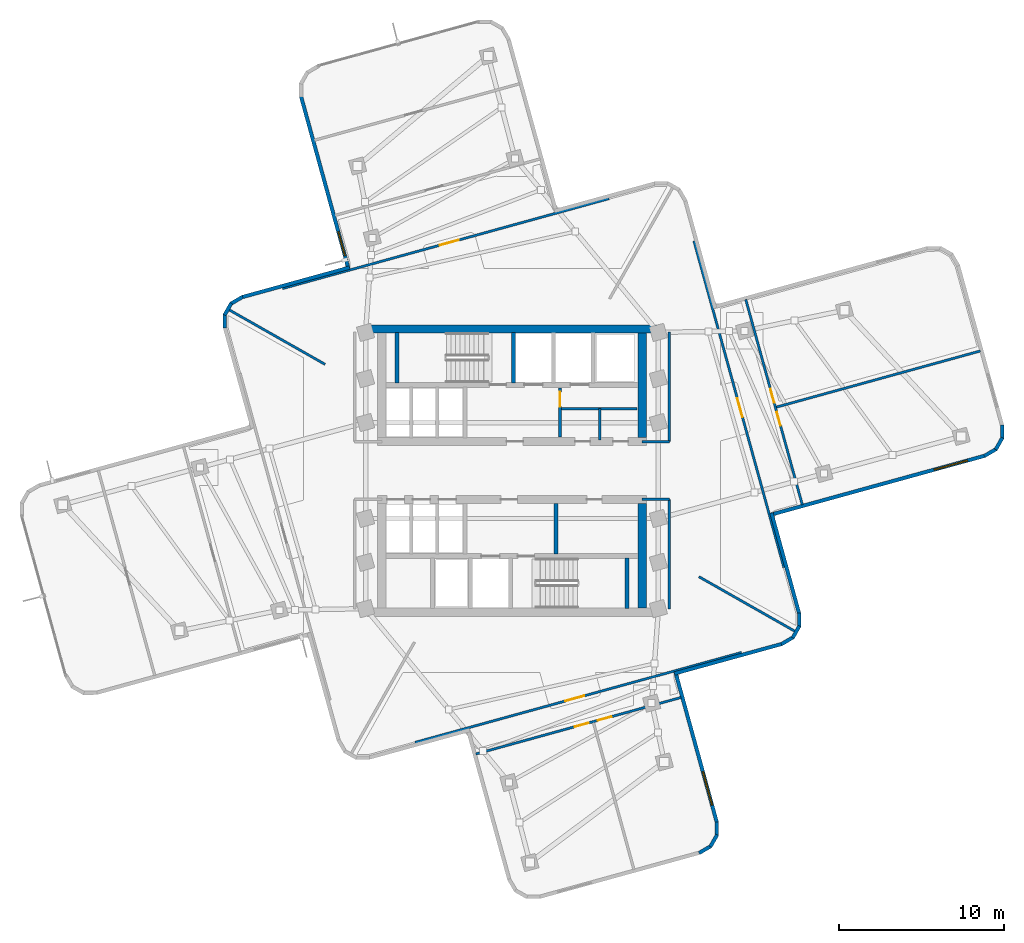
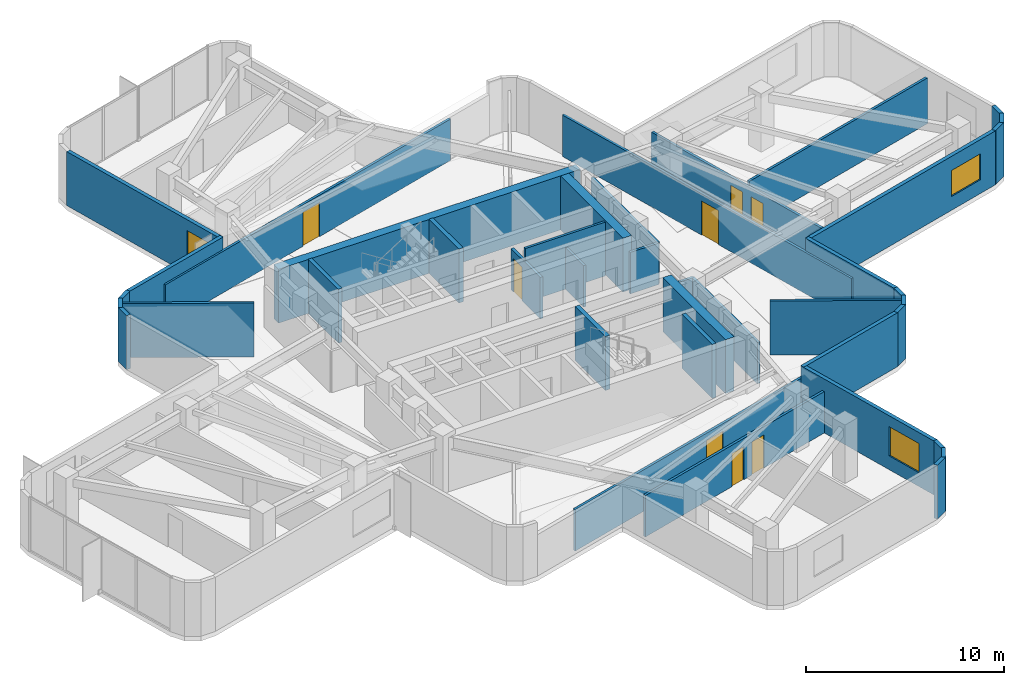
# One storey, part 8 of 12: 40 walls, 8 doors, 3 windows, 11 openings.
"""IFC4 building model written with IfcOpenShell, lengths in metres."""

from ifc_helpers import new_model, si_unit, direction, frame, frame_2d, origin, place, context, subcontext, project, spatial, rectangle, extrude, material, layer, layer_set, type_object, element, fill, save


model = new_model("IFC4")

# Units and contexts
model_context = context("Model", 3, precision=1e-05, world=origin(), true_north=direction((0.0, 1.0)))
body_context = subcontext(model_context, "Body", "Model", "MODEL_VIEW")
ifc_project = project(units=[si_unit("LENGTHUNIT", "METRE"), si_unit("AREAUNIT", "SQUARE_METRE"), si_unit("VOLUMEUNIT", "CUBIC_METRE"), si_unit("PLANEANGLEUNIT", "RADIAN"), si_unit("MASSUNIT", "GRAM", prefix="KILO")], contexts=[model_context])

# Site, building, storey
site_placement = place(None, origin())
site = spatial("IfcSite", under=ifc_project, at=site_placement, CompositionType="ELEMENT")
building_placement = place(site_placement, origin())
building = spatial("IfcBuilding", under=site, at=building_placement, Name="Solmarez Civic Tower", CompositionType="ELEMENT")
storey_placement = place(building_placement, frame((0.0, 0.0, 134.280029296875)))
storey = spatial("IfcBuildingStorey", under=building, at=storey_placement, Name="L35", CompositionType="ELEMENT", Elevation=134.280029296875)

# Walls
ifc_material_1 = material(Name="Concrete C60/75", Category="concrete")
ifc_layer_1 = layer(ifc_material_1, 0.5)
ifc_layer_set_1 = layer_set([ifc_layer_1], Name="Concrete C60/75")
wall_type_1 = type_object("IfcWallType", Name="WALL-CORE-500", PredefinedType="SHEAR", material=ifc_layer_set_1)
wall_1_placement = place(storey_placement, frame((-8.780029296875, 8.56005859375, 0.0), z_axis=(0.0, 0.0, 1.0), x_axis=(1.0, 0.0, 0.0)))
element("IfcWall", 1, at=wall_1_placement, inside=storey, type_object=wall_type_1, Name="L35 Split-Core Structural Wall NCW-N-L35", PredefinedType="SHEAR", context=body_context, shape_type="SweptSolid", body=[
    extrude(rectangle(XDim=17.56005859375, YDim=0.5, at=frame_2d((8.780029296875, 0.0))), origin(), (0.0, 0.0, 1.0), 3.320068359375),
])
for number, where, z_axis, x_axis, name in (
    (2, (7.8701171875, 8.31005859375, 0.0), (0.0, 0.0, 1.0), (0.0, -1.0, 0.0), "L35 Split-Core Structural Wall NCW-E-L35"),
    (3, (7.8701171875, -2.0, 0.0), (0.0, 0.0, 1.0), (0.0, -1.0, 0.0), "L35 Split-Core Structural Wall SCW-E-L35"),
):
    element("IfcWall", number, at=place(storey_placement, frame(where, z_axis=z_axis, x_axis=x_axis)), inside=storey, type_object=wall_type_1, Name=name, PredefinedType="SHEAR", context=body_context, shape_type="SweptSolid", body=[
        extrude(rectangle(XDim=6.31005859375, YDim=0.5, at=frame_2d((3.155029296875, 0.0))), origin(), (0.0, 0.0, 1.0), 3.320068359375),
    ])
ifc_material_2 = material(Name="Precast concrete C40/50", Category="concrete")
ifc_layer_2 = layer(ifc_material_2, 0.219970703125)
ifc_layer_set_2 = layer_set([ifc_layer_2], Name="Precast concrete C40/50")
wall_type_2 = type_object("IfcWallType", Name="WALL-EXT-220", PredefinedType="SOLIDWALL", material=ifc_layer_set_2)
wall_2_placement = place(storey_placement, frame((-17.35693359375, 8.611083984375, 0.0), z_axis=(0.0, 0.0, 1.0), x_axis=(-0.006140235123, 0.999981148579, 0.0)))
element("IfcWall", 4, at=wall_2_placement, inside=storey, type_object=wall_type_2, Name="L35 Exterior Precast Wall 14", PredefinedType="SOLIDWALL", context=body_context, shape_type="SweptSolid", body=[
    extrude(rectangle(XDim=0.8349609375, YDim=0.219970703125, at=frame_2d((0.41748046875, 0.0))), origin(), (0.0, 0.0, 1.0), 3.320068359375),
])
wall_3_placement = place(storey_placement, frame((-17.3740234375, 9.39892578125, 0.0), z_axis=(0.0, 0.0, 1.0), x_axis=(0.492959963164, 0.87005199541, 0.0)))
element("IfcWall", 5, at=wall_3_placement, inside=storey, type_object=wall_type_2, Name="L35 Exterior Precast Wall 15", PredefinedType="SOLIDWALL", context=body_context, shape_type="SweptSolid", body=[
    extrude(rectangle(XDim=0.819580078125, YDim=0.219970703125, at=frame_2d((0.40966796875, 0.0))), origin(), (0.0, 0.0, 1.0), 3.320068359375),
])
wall_4_placement = place(storey_placement, frame((-17.00390625, 10.076904296875, 0.0), z_axis=(0.0, 0.0, 1.0), x_axis=(0.862662761192, 0.505779557172, 0.0)))
element("IfcWall", 6, at=wall_4_placement, inside=storey, type_object=wall_type_2, Name="L35 Exterior Precast Wall 16", PredefinedType="SOLIDWALL", context=body_context, shape_type="SweptSolid", body=[
    extrude(rectangle(XDim=0.83447265625, YDim=0.219970703125, at=frame_2d((0.417236328125, 0.0))), origin(), (0.0, 0.0, 1.0), 3.320068359375),
])
wall_5_placement = place(storey_placement, frame((-16.330078125, 10.47900390625, 0.0), z_axis=(0.0, 0.0, 1.0), x_axis=(0.964092175021, 0.265567840793, 0.0)))
element("IfcWall", 7, at=wall_5_placement, inside=storey, type_object=wall_type_2, Name="L35 Exterior Precast Wall 17", PredefinedType="SOLIDWALL", context=body_context, shape_type="SweptSolid", body=[
    extrude(rectangle(XDim=6.7587890625, YDim=0.219970703125, at=frame_2d((3.37939453125, 0.0))), origin(), (0.0, 0.0, 1.0), 3.320068359375),
])

# Wall, opening, window
wall_6_placement = place(storey_placement, frame((-9.8759765625, 12.166015625, 0.0), z_axis=(0.0, 0.0, 1.0), x_axis=(-0.265506061674, 0.964109190504, 0.0)))
wall_6 = element("IfcWall", 8, at=wall_6_placement, inside=storey, type_object=wall_type_2, Name="L35 Exterior Precast Wall 20", PredefinedType="SOLIDWALL", context=body_context, shape_type="SweptSolid", body=[
    extrude(rectangle(XDim=10.858642578125, YDim=0.219970703125, at=frame_2d((5.42919921875, 0.0))), origin(), (0.0, 0.0, 1.0), 3.320068359375),
])
opening_1_placement = place(wall_6_placement, frame((0.85009765625, 0.0, 0.85009765625)))
opening_1 = element("IfcOpeningElement", 9, at=opening_1_placement, cuts=wall_6, Name="Opening W-13", PredefinedType="OPENING", context=body_context, shape_type="SweptSolid", body=[
    extrude(rectangle(XDim=1.5, YDim=1.800048828125, at=frame_2d((0.75, 0.89990234375))), frame((0.0, 0.119873046875, 0.0), z_axis=(0.0, -1.0, 0.0), x_axis=(1.0, 0.0, 0.0)), (0.0, 0.0, 1.0), 0.239990234375),
])
ifc_material_3 = material(Name="Solar Control Bronze-Tinted Insulating Glass", Category="glass")
window_type_1 = type_object("IfcWindowType", Name="WIN-1500X1800", PartitioningType="SINGLE_PANEL", PredefinedType="WINDOW", material=ifc_material_3)
window_1_placement = place(opening_1_placement, origin())
window_1 = element("IfcWindow", 10, at=window_1_placement, inside=storey, type_object=window_type_1, Name="L35 Exterior Facade Window 20", OverallHeight=1.800048828125, OverallWidth=1.5, PartitioningType="SINGLE_PANEL", PredefinedType="WINDOW", context=body_context, shape_type="SweptSolid", body=[
    extrude(rectangle(XDim=1.5, YDim=1.800048828125, at=frame_2d((0.75, 0.89990234375))), frame((0.0, 0.030029296875, 0.0), z_axis=(0.0, -1.0, 0.0), x_axis=(1.0, 0.0, 0.0)), (0.0, 0.0, 1.0), 0.06005859375),
])
fill(opening_1, window_1)

# Walls
wall_7_placement = place(storey_placement, frame((29.6259765625, 2.764892578125, 0.0), z_axis=(0.0, 0.0, 1.0), x_axis=(0.006147424822, -0.999981104406, 0.0)))
element("IfcWall", 11, at=wall_7_placement, inside=storey, type_object=wall_type_2, Name="L35 Exterior Precast Wall 43", PredefinedType="SOLIDWALL", context=body_context, shape_type="SweptSolid", body=[
    extrude(rectangle(XDim=0.833984375, YDim=0.219970703125, at=frame_2d((0.4169921875, 0.0))), origin(), (0.0, 0.0, 1.0), 3.320068359375),
])
wall_8_placement = place(storey_placement, frame((29.64306640625, 1.97802734375, 0.0), z_axis=(0.0, 0.0, 1.0), x_axis=(-0.492057256668, -0.87056283872, 0.0)))
element("IfcWall", 12, at=wall_8_placement, inside=storey, type_object=wall_type_2, Name="L35 Exterior Precast Wall 44", PredefinedType="SOLIDWALL", context=body_context, shape_type="SweptSolid", body=[
    extrude(rectangle(XDim=0.819091796875, YDim=0.219970703125, at=frame_2d((0.40966796875, 0.0))), origin(), (0.0, 0.0, 1.0), 3.320068359375),
])
wall_9_placement = place(storey_placement, frame((29.27392578125, 1.300048828125, 0.0), z_axis=(0.0, 0.0, 1.0), x_axis=(-0.862451814289, -0.506139178517, 0.0)))
element("IfcWall", 13, at=wall_9_placement, inside=storey, type_object=wall_type_2, Name="L35 Exterior Precast Wall 45", PredefinedType="SOLIDWALL", context=body_context, shape_type="SweptSolid", body=[
    extrude(rectangle(XDim=0.8359375, YDim=0.219970703125, at=frame_2d((0.41796875, 0.0))), origin(), (0.0, 0.0, 1.0), 3.320068359375),
])

# Wall, opening, window
wall_10_placement = place(storey_placement, frame((28.59912109375, 0.89697265625, 0.0), z_axis=(0.0, 0.0, 1.0), x_axis=(-0.964113270695, -0.265491245185, 0.0)))
wall_10 = element("IfcWall", 14, at=wall_10_placement, inside=storey, type_object=wall_type_2, Name="L35 Exterior Precast Wall 46", PredefinedType="SOLIDWALL", context=body_context, shape_type="SweptSolid", body=[
    extrude(rectangle(XDim=13.4580078125, YDim=0.219970703125, at=frame_2d((6.72900390625, 0.0))), origin(), (0.0, 0.0, 1.0), 3.320068359375),
])
opening_2_placement = place(wall_10_placement, frame((1.10009765625, 0.0, 0.85009765625)))
opening_2 = element("IfcOpeningElement", 15, at=opening_2_placement, cuts=wall_10, Name="Opening W-11", PredefinedType="OPENING", context=body_context, shape_type="SweptSolid", body=[
    extrude(rectangle(XDim=2.10009765625, YDim=1.60009765625, at=frame_2d((1.050048828125, 0.800048828125))), frame((0.0, 0.119873046875, 0.0), z_axis=(0.0, -1.0, 0.0), x_axis=(1.0, 0.0, 0.0)), (0.0, 0.0, 1.0), 0.239990234375),
])
window_type_2 = type_object("IfcWindowType", Name="WIN-2100X1600", PartitioningType="SINGLE_PANEL", PredefinedType="WINDOW", material=ifc_material_3)
window_2_placement = place(opening_2_placement, origin())
window_2 = element("IfcWindow", 16, at=window_2_placement, inside=storey, type_object=window_type_2, Name="L35 Exterior Facade Window 46", OverallHeight=1.60009765625, OverallWidth=2.10009765625, PartitioningType="SINGLE_PANEL", PredefinedType="WINDOW", context=body_context, shape_type="SweptSolid", body=[
    extrude(rectangle(XDim=2.10009765625, YDim=1.60009765625, at=frame_2d((1.050048828125, 0.800048828125))), frame((0.0, 0.030029296875, 0.0), z_axis=(0.0, -1.0, 0.0), x_axis=(1.0, 0.0, 0.0)), (0.0, 0.0, 1.0), 0.06005859375),
])
fill(opening_2, window_2)

# Walls
wall_11_placement = place(storey_placement, frame((15.68603515625, -2.568115234375, 0.0), z_axis=(0.0, 0.0, 1.0), x_axis=(0.265558779784, -0.964094670911, 0.0)))
element("IfcWall", 17, at=wall_11_placement, inside=storey, type_object=wall_type_2, Name="L35 Exterior Precast Wall 49", PredefinedType="SOLIDWALL", context=body_context, shape_type="SweptSolid", body=[
    extrude(rectangle(XDim=6.318603515625, YDim=0.219970703125, at=frame_2d((3.1591796875, 0.0))), origin(), (0.0, 0.0, 1.0), 3.320068359375),
])
wall_12_placement = place(storey_placement, frame((17.35693359375, -8.611083984375, 0.0), z_axis=(0.0, 0.0, 1.0), x_axis=(0.006140235123, -0.999981148579, 0.0)))
element("IfcWall", 18, at=wall_12_placement, inside=storey, type_object=wall_type_2, Name="L35 Exterior Precast Wall 50", PredefinedType="SOLIDWALL", context=body_context, shape_type="SweptSolid", body=[
    extrude(rectangle(XDim=0.8349609375, YDim=0.219970703125, at=frame_2d((0.41748046875, 0.0))), origin(), (0.0, 0.0, 1.0), 3.320068359375),
])
wall_13_placement = place(storey_placement, frame((17.3740234375, -9.39892578125, 0.0), z_axis=(0.0, 0.0, 1.0), x_axis=(-0.492959963164, -0.87005199541, 0.0)))
element("IfcWall", 19, at=wall_13_placement, inside=storey, type_object=wall_type_2, Name="L35 Exterior Precast Wall 51", PredefinedType="SOLIDWALL", context=body_context, shape_type="SweptSolid", body=[
    extrude(rectangle(XDim=0.819580078125, YDim=0.219970703125, at=frame_2d((0.40966796875, 0.0))), origin(), (0.0, 0.0, 1.0), 3.320068359375),
])
wall_14_placement = place(storey_placement, frame((17.00390625, -10.076904296875, 0.0), z_axis=(0.0, 0.0, 1.0), x_axis=(-0.862662761192, -0.505779557172, 0.0)))
element("IfcWall", 20, at=wall_14_placement, inside=storey, type_object=wall_type_2, Name="L35 Exterior Precast Wall 52", PredefinedType="SOLIDWALL", context=body_context, shape_type="SweptSolid", body=[
    extrude(rectangle(XDim=0.83447265625, YDim=0.219970703125, at=frame_2d((0.417236328125, 0.0))), origin(), (0.0, 0.0, 1.0), 3.320068359375),
])
wall_15_placement = place(storey_placement, frame((16.330078125, -10.47900390625, 0.0), z_axis=(0.0, 0.0, 1.0), x_axis=(-0.964092175021, -0.265567840793, 0.0)))
element("IfcWall", 21, at=wall_15_placement, inside=storey, type_object=wall_type_2, Name="L35 Exterior Precast Wall 53", PredefinedType="SOLIDWALL", context=body_context, shape_type="SweptSolid", body=[
    extrude(rectangle(XDim=6.7587890625, YDim=0.219970703125, at=frame_2d((3.37939453125, 0.0))), origin(), (0.0, 0.0, 1.0), 3.320068359375),
])

# Wall, opening, window
wall_16_placement = place(storey_placement, frame((9.8759765625, -12.166015625, 0.0), z_axis=(0.0, 0.0, 1.0), x_axis=(0.265575803102, -0.964089981696, 0.0)))
wall_16 = element("IfcWall", 22, at=wall_16_placement, inside=storey, type_object=wall_type_2, Name="L35 Exterior Precast Wall 56", PredefinedType="SOLIDWALL", context=body_context, shape_type="SweptSolid", body=[
    extrude(rectangle(XDim=9.45849609375, YDim=0.219970703125, at=frame_2d((4.729248046875, 0.0))), origin(), (0.0, 0.0, 1.0), 3.320068359375),
])
opening_3_placement = place(wall_16_placement, frame((6.259033203125, 0.0, 0.85009765625)))
opening_3 = element("IfcOpeningElement", 23, at=opening_3_placement, cuts=wall_16, Name="Opening W-07", PredefinedType="OPENING", context=body_context, shape_type="SweptSolid", body=[
    extrude(rectangle(XDim=2.10009765625, YDim=1.800048828125, at=frame_2d((1.050048828125, 0.89990234375))), frame((0.0, 0.119873046875, 0.0), z_axis=(0.0, -1.0, 0.0), x_axis=(1.0, 0.0, 0.0)), (0.0, 0.0, 1.0), 0.239990234375),
])
window_type_3 = type_object("IfcWindowType", Name="WIN-2100X1800", PartitioningType="SINGLE_PANEL", PredefinedType="WINDOW", material=ifc_material_3)
window_3_placement = place(opening_3_placement, origin())
window_3 = element("IfcWindow", 24, at=window_3_placement, inside=storey, type_object=window_type_3, Name="L35 Exterior Facade Window 56", OverallHeight=1.800048828125, OverallWidth=2.10009765625, PartitioningType="SINGLE_PANEL", PredefinedType="WINDOW", context=body_context, shape_type="SweptSolid", body=[
    extrude(rectangle(XDim=2.10009765625, YDim=1.800048828125, at=frame_2d((1.050048828125, 0.89990234375))), frame((0.0, 0.030029296875, 0.0), z_axis=(0.0, -1.0, 0.0), x_axis=(1.0, 0.0, 0.0)), (0.0, 0.0, 1.0), 0.06005859375),
])
fill(opening_3, window_3)

# Walls
wall_17_placement = place(storey_placement, frame((12.381103515625, -21.236083984375, 0.0), z_axis=(0.0, 0.0, 1.0), x_axis=(0.005854700592, -0.999982861094, 0.0)))
element("IfcWall", 25, at=wall_17_placement, inside=storey, type_object=wall_type_2, Name="L35 Exterior Precast Wall 57", PredefinedType="SOLIDWALL", context=body_context, shape_type="SweptSolid", body=[
    extrude(rectangle(XDim=0.833984375, YDim=0.219970703125, at=frame_2d((0.4169921875, 0.0))), origin(), (0.0, 0.0, 1.0), 3.320068359375),
])
wall_18_placement = place(storey_placement, frame((12.39794921875, -22.02294921875, 0.0), z_axis=(0.0, 0.0, 1.0), x_axis=(-0.492959963164, -0.87005199541, 0.0)))
element("IfcWall", 26, at=wall_18_placement, inside=storey, type_object=wall_type_2, Name="L35 Exterior Precast Wall 58", PredefinedType="SOLIDWALL", context=body_context, shape_type="SweptSolid", body=[
    extrude(rectangle(XDim=0.819580078125, YDim=0.219970703125, at=frame_2d((0.40966796875, 0.0))), origin(), (0.0, 0.0, 1.0), 3.320068359375),
])
wall_19_placement = place(storey_placement, frame((12.028076171875, -22.700927734375, 0.0), z_axis=(0.0, 0.0, 1.0), x_axis=(-0.86215208584, -0.506649564178, 0.0)))
element("IfcWall", 27, at=wall_19_placement, inside=storey, type_object=wall_type_2, Name="L35 Exterior Precast Wall 59", PredefinedType="SOLIDWALL", context=body_context, shape_type="SweptSolid", body=[
    extrude(rectangle(XDim=0.835205078125, YDim=0.219970703125, at=frame_2d((0.41748046875, 0.0))), origin(), (0.0, 0.0, 1.0), 3.320068359375),
])
ifc_material_4 = material(Name="Gypsum Board Acoustic Steel-Stud Partition", Category="steel")
ifc_layer_3 = layer(ifc_material_4, 0.14990234375)
ifc_layer_set_3 = layer_set([ifc_layer_3], Name="Gypsum Board Acoustic Steel-Stud Partition")
wall_type_3 = type_object("IfcWallType", Name="WALL-INT-FIRE-150", PredefinedType="PARTITIONING", material=ifc_layer_set_3)
wall_20_placement = place(storey_placement, frame((9.52001953125, 1.75, 0.0), z_axis=(0.0, 0.0, 1.0), x_axis=(0.0, 1.0, 0.0)))
element("IfcWall", 28, at=wall_20_placement, inside=storey, type_object=wall_type_3, Name="L35 Interior Partition CHW-L35-EN1", PredefinedType="PARTITIONING", context=body_context, shape_type="SweptSolid", body=[
    extrude(rectangle(XDim=6.6298828125, YDim=0.14990234375, at=frame_2d((3.31494140625, 0.0))), origin(), (0.0, 0.0, 1.0), 2.550048828125),
])
wall_21_placement = place(storey_placement, frame((7.85009765625, 1.75, 0.0), z_axis=(0.0, 0.0, 1.0), x_axis=(1.0, 0.0, 0.0)))
element("IfcWall", 29, at=wall_21_placement, inside=storey, type_object=wall_type_3, Name="L35 Interior Partition CHW-L35-EN3", PredefinedType="PARTITIONING", context=body_context, shape_type="SweptSolid", body=[
    extrude(rectangle(XDim=1.669921875, YDim=0.14990234375, at=frame_2d((0.8349609375, 0.0))), origin(), (0.0, 0.0, 1.0), 2.550048828125),
])
wall_22_placement = place(storey_placement, frame((9.52001953125, -8.3798828125, 0.0), z_axis=(0.0, 0.0, 1.0), x_axis=(0.0, 1.0, 0.0)))
element("IfcWall", 30, at=wall_22_placement, inside=storey, type_object=wall_type_3, Name="L35 Interior Partition CHW-L35-ES1", PredefinedType="PARTITIONING", context=body_context, shape_type="SweptSolid", body=[
    extrude(rectangle(XDim=6.6298828125, YDim=0.14990234375, at=frame_2d((3.31494140625, 0.0))), origin(), (0.0, 0.0, 1.0), 2.550048828125),
])
wall_23_placement = place(storey_placement, frame((7.85009765625, -1.75, 0.0), z_axis=(0.0, 0.0, 1.0), x_axis=(1.0, 0.0, 0.0)))
element("IfcWall", 31, at=wall_23_placement, inside=storey, type_object=wall_type_3, Name="L35 Interior Partition CHW-L35-ES3", PredefinedType="PARTITIONING", context=body_context, shape_type="SweptSolid", body=[
    extrude(rectangle(XDim=1.669921875, YDim=0.14990234375, at=frame_2d((0.8349609375, 0.0))), origin(), (0.0, 0.0, 1.0), 2.550048828125),
])
ifc_layer_4 = layer(ifc_material_4, 0.14501953125)
ifc_layer_set_4 = layer_set([ifc_layer_4], Name="Gypsum Board Acoustic Steel-Stud Partition")
wall_type_4 = type_object("IfcWallType", Name="WALL-INT-PART-150", PredefinedType="PARTITIONING", material=ifc_layer_set_4)
for number, where, z_axis, x_axis, name in (
    (32, (-11.300048828125, 6.4189453125, 0.0), (0.0, 0.0, 1.0), (-0.869475469758, 0.493976120363, 0.0), "L35 Interior Partition PT-L35-QDIV-2"),
    (33, (11.300048828125, -6.4189453125, 0.0), (0.0, 0.0, 1.0), (0.869475469758, -0.493976120363, 0.0), "L35 Interior Partition PT-L35-QDIV-4"),
):
    element("IfcWall", number, at=place(storey_placement, frame(where, z_axis=z_axis, x_axis=x_axis)), inside=storey, type_object=wall_type_4, Name=name, PredefinedType="PARTITIONING", context=body_context, shape_type="SweptSolid", body=[
        extrude(rectangle(XDim=6.6787109375, YDim=0.14501953125, at=frame_2d((3.33935546875, 0.0))), origin(), (0.0, 0.0, 1.0), 3.320068359375),
    ])

# Wall, opening, door
wall_24_placement = place(storey_placement, frame((10.9990234375, 13.87890625, 0.0), z_axis=(0.0, 0.0, 1.0), x_axis=(0.26558288107, -0.964088031915, 0.0)))
wall_24 = element("IfcWall", 34, at=wall_24_placement, inside=storey, type_object=wall_type_4, Name="L35 Interior Partition PT-L35-E-ENT", PredefinedType="PARTITIONING", context=body_context, shape_type="SweptSolid", body=[
    extrude(rectangle(XDim=20.479248046875, YDim=0.14501953125, at=frame_2d((10.23974609375, 0.0))), origin(), (0.0, 0.0, 1.0), 2.550048828125),
])
opening_4_placement = place(wall_24_placement, frame((9.860107421875, 0.0, 0.0)))
opening_4 = element("IfcOpeningElement", 35, at=opening_4_placement, cuts=wall_24, Name="Opening D-11", PredefinedType="OPENING", context=body_context, shape_type="SweptSolid", body=[
    extrude(rectangle(XDim=1.199951171875, YDim=2.10009765625, at=frame_2d((0.60009765625, 1.050048828125))), frame((0.0, 0.08251953125, 0.0), z_axis=(0.0, -1.0, 0.0), x_axis=(1.0, 0.0, 0.0)), (0.0, 0.0, 1.0), 0.1650390625),
])
ifc_material_5 = material(Name="Glazed-Vision Acoustic Chamber Door", Category="wood")
door_type_1 = type_object("IfcDoorType", Name="DOOR-INT-1200", OperationType="NOTDEFINED", PredefinedType="DOOR", material=ifc_material_5)
door_1_placement = place(opening_4_placement, origin())
door_1 = element("IfcDoor", 36, at=door_1_placement, inside=storey, type_object=door_type_1, Name="L35 Maritime Registry Legislative Seminar Room First East Door", OperationType="SINGLE_SWING_LEFT", OverallHeight=2.10009765625, OverallWidth=1.199951171875, PredefinedType="DOOR", context=body_context, shape_type="SweptSolid", body=[
    extrude(rectangle(XDim=1.199951171875, YDim=2.10009765625, at=frame_2d((0.60009765625, 1.050048828125))), frame((0.0, 0.02490234375, 0.0), z_axis=(0.0, -1.0, 0.0), x_axis=(1.0, 0.0, 0.0)), (0.0, 0.0, 1.0), 0.050048828125),
])
fill(opening_4, door_1)

# Wall
wall_25_placement = place(storey_placement, frame((15.986083984375, 3.8330078125, 0.0), z_axis=(0.0, 0.0, 1.0), x_axis=(0.964097539176, 0.265548366506, 0.0)))
element("IfcWall", 37, at=wall_25_placement, inside=storey, type_object=wall_type_4, Name="L35 Interior Partition PT-L35-E-TSP", PredefinedType="PARTITIONING", context=body_context, shape_type="SweptSolid", body=[
    extrude(rectangle(XDim=12.784912109375, YDim=0.14501953125, at=frame_2d((6.392578125, 0.0))), origin(), (0.0, 0.0, 1.0), 2.81201171875),
])

# Wall, openings, doors
wall_26_placement = place(storey_placement, frame((17.549072265625, -2.069091796875, 0.0), z_axis=(0.0, 0.0, 1.0), x_axis=(-0.265569130282, 0.964091819819, 0.0)))
wall_26 = element("IfcWall", 38, at=wall_26_placement, inside=storey, type_object=wall_type_4, Name="L35 Interior Partition PT-L35-E-SCUT", PredefinedType="PARTITIONING", context=body_context, shape_type="SweptSolid", body=[
    extrude(rectangle(XDim=12.870361328125, YDim=0.14501953125, at=frame_2d((6.43505859375, 0.0))), origin(), (0.0, 0.0, 1.0), 2.550048828125),
])
opening_5_placement = place(wall_26_placement, frame((4.955078125, 0.0, 0.0)))
opening_5 = element("IfcOpeningElement", 39, at=opening_5_placement, cuts=wall_26, Name="Opening D-14", PredefinedType="OPENING", context=body_context, shape_type="SweptSolid", body=[
    extrude(rectangle(XDim=0.860107421875, YDim=2.0400390625, at=frame_2d((0.43017578125, 1.02001953125))), frame((0.0, 0.08251953125, 0.0), z_axis=(0.0, -1.0, 0.0), x_axis=(1.0, 0.0, 0.0)), (0.0, 0.0, 1.0), 0.1650390625),
])
opening_6_placement = place(wall_26_placement, frame((6.39501953125, 0.0, 0.0)))
opening_6 = element("IfcOpeningElement", 40, at=opening_6_placement, cuts=wall_26, Name="Opening D-14", PredefinedType="OPENING", context=body_context, shape_type="SweptSolid", body=[
    extrude(rectangle(XDim=0.860107421875, YDim=2.0400390625, at=frame_2d((0.43017578125, 1.02001953125))), frame((0.0, 0.08251953125, 0.0), z_axis=(0.0, -1.0, 0.0), x_axis=(1.0, 0.0, 0.0)), (0.0, 0.0, 1.0), 0.1650390625),
])
ifc_material_6 = material(Name="Timber Storage and Pantry Door", Category="wood")
door_type_2 = type_object("IfcDoorType", Name="DOOR-INT-850", OperationType="NOTDEFINED", PredefinedType="DOOR", material=ifc_material_6)
door_2_placement = place(opening_5_placement, origin())
door_2 = element("IfcDoor", 41, at=door_2_placement, inside=storey, type_object=door_type_2, Name="L35 Delegates Sitting Lounge Third East Door", OperationType="SINGLE_SWING_RIGHT", OverallHeight=2.0400390625, OverallWidth=0.860107421875, PredefinedType="DOOR", context=body_context, shape_type="SweptSolid", body=[
    extrude(rectangle(XDim=0.860107421875, YDim=2.0400390625, at=frame_2d((0.43017578125, 1.02001953125))), frame((0.0, 0.02490234375, 0.0), z_axis=(0.0, -1.0, 0.0), x_axis=(1.0, 0.0, 0.0)), (0.0, 0.0, 1.0), 0.050048828125),
])
fill(opening_5, door_2)
door_3_placement = place(opening_6_placement, origin())
door_3 = element("IfcDoor", 42, at=door_3_placement, inside=storey, type_object=door_type_2, Name="L35 Civic Training Classroom Second East Door", OperationType="SINGLE_SWING_LEFT", OverallHeight=2.0400390625, OverallWidth=0.860107421875, PredefinedType="DOOR", context=body_context, shape_type="SweptSolid", body=[
    extrude(rectangle(XDim=0.860107421875, YDim=2.0400390625, at=frame_2d((0.43017578125, 1.02001953125))), frame((0.0, 0.02490234375, 0.0), z_axis=(0.0, -1.0, 0.0), x_axis=(1.0, 0.0, 0.0)), (0.0, 0.0, 1.0), 0.050048828125),
])
fill(opening_6, door_3)

# Wall, opening, door
wall_27_placement = place(storey_placement, frame((-13.87890625, 10.9990234375, 0.0), z_axis=(0.0, 0.0, 1.0), x_axis=(0.964088031915, 0.26558288107, 0.0)))
wall_27 = element("IfcWall", 43, at=wall_27_placement, inside=storey, type_object=wall_type_4, Name="L35 Interior Partition PT-L35-N-ENT", PredefinedType="PARTITIONING", context=body_context, shape_type="SweptSolid", body=[
    extrude(rectangle(XDim=20.479248046875, YDim=0.14501953125, at=frame_2d((10.23974609375, 0.0))), origin(), (0.0, 0.0, 1.0), 2.550048828125),
])
opening_7_placement = place(wall_27_placement, frame((9.860107421875, 0.0, 0.0)))
opening_7 = element("IfcOpeningElement", 44, at=opening_7_placement, cuts=wall_27, Name="Opening D-11", PredefinedType="OPENING", context=body_context, shape_type="SweptSolid", body=[
    extrude(rectangle(XDim=1.199951171875, YDim=2.10009765625, at=frame_2d((0.60009765625, 1.050048828125))), frame((0.0, 0.08251953125, 0.0), z_axis=(0.0, -1.0, 0.0), x_axis=(1.0, 0.0, 0.0)), (0.0, 0.0, 1.0), 0.1650390625),
])
door_4_placement = place(opening_7_placement, origin())
door_4 = element("IfcDoor", 45, at=door_4_placement, inside=storey, type_object=door_type_1, Name="L35 Civic Training Classroom First North Door", OperationType="SINGLE_SWING_LEFT", OverallHeight=2.10009765625, OverallWidth=1.199951171875, PredefinedType="DOOR", context=body_context, shape_type="SweptSolid", body=[
    extrude(rectangle(XDim=1.199951171875, YDim=2.10009765625, at=frame_2d((0.60009765625, 1.050048828125))), frame((0.0, 0.02490234375, 0.0), z_axis=(0.0, -1.0, 0.0), x_axis=(1.0, 0.0, 0.0)), (0.0, 0.0, 1.0), 0.050048828125),
])
fill(opening_7, door_4)

wall_28_placement = place(storey_placement, frame((13.87890625, -10.9990234375, 0.0), z_axis=(0.0, 0.0, 1.0), x_axis=(-0.964088031915, -0.26558288107, 0.0)))
wall_28 = element("IfcWall", 46, at=wall_28_placement, inside=storey, type_object=wall_type_4, Name="L35 Interior Partition PT-L35-S-ENT", PredefinedType="PARTITIONING", context=body_context, shape_type="SweptSolid", body=[
    extrude(rectangle(XDim=20.479248046875, YDim=0.14501953125, at=frame_2d((10.23974609375, 0.0))), origin(), (0.0, 0.0, 1.0), 2.550048828125),
])
opening_8_placement = place(wall_28_placement, frame((9.860107421875, 0.0, 0.0)))
opening_8 = element("IfcOpeningElement", 47, at=opening_8_placement, cuts=wall_28, Name="Opening D-11", PredefinedType="OPENING", context=body_context, shape_type="SweptSolid", body=[
    extrude(rectangle(XDim=1.199951171875, YDim=2.10009765625, at=frame_2d((0.60009765625, 1.050048828125))), frame((0.0, 0.08251953125, 0.0), z_axis=(0.0, -1.0, 0.0), x_axis=(1.0, 0.0, 0.0)), (0.0, 0.0, 1.0), 0.1650390625),
])
door_5_placement = place(opening_8_placement, origin())
door_5 = element("IfcDoor", 48, at=door_5_placement, inside=storey, type_object=door_type_1, Name="L35 Public Reception Room First South Door", OperationType="SINGLE_SWING_LEFT", OverallHeight=2.10009765625, OverallWidth=1.199951171875, PredefinedType="DOOR", context=body_context, shape_type="SweptSolid", body=[
    extrude(rectangle(XDim=1.199951171875, YDim=2.10009765625, at=frame_2d((0.60009765625, 1.050048828125))), frame((0.0, 0.02490234375, 0.0), z_axis=(0.0, -1.0, 0.0), x_axis=(1.0, 0.0, 0.0)), (0.0, 0.0, 1.0), 0.050048828125),
])
fill(opening_8, door_5)

# Wall, openings, doors
wall_29_placement = place(storey_placement, frame((-2.18310546875, -17.135009765625, 0.0), z_axis=(0.0, 0.0, 1.0), x_axis=(0.964091819819, 0.265569130282, 0.0)))
wall_29 = element("IfcWall", 49, at=wall_29_placement, inside=storey, type_object=wall_type_4, Name="L35 Interior Partition PT-L35-S-SCUT", PredefinedType="PARTITIONING", context=body_context, shape_type="SweptSolid", body=[
    extrude(rectangle(XDim=12.870361328125, YDim=0.14501953125, at=frame_2d((6.43505859375, 0.0))), origin(), (0.0, 0.0, 1.0), 2.550048828125),
])
opening_9_placement = place(wall_29_placement, frame((6.205078125, 0.0, 0.0)))
opening_9 = element("IfcOpeningElement", 50, at=opening_9_placement, cuts=wall_29, Name="Opening D-14", PredefinedType="OPENING", context=body_context, shape_type="SweptSolid", body=[
    extrude(rectangle(XDim=0.860107421875, YDim=2.0400390625, at=frame_2d((0.43017578125, 1.02001953125))), frame((0.0, 0.08251953125, 0.0), z_axis=(0.0, -1.0, 0.0), x_axis=(1.0, 0.0, 0.0)), (0.0, 0.0, 1.0), 0.1650390625),
])
opening_10_placement = place(wall_29_placement, frame((7.64501953125, 0.0, 0.0)))
opening_10 = element("IfcOpeningElement", 51, at=opening_10_placement, cuts=wall_29, Name="Opening D-14", PredefinedType="OPENING", context=body_context, shape_type="SweptSolid", body=[
    extrude(rectangle(XDim=0.860107421875, YDim=2.0400390625, at=frame_2d((0.43017578125, 1.02001953125))), frame((0.0, 0.08251953125, 0.0), z_axis=(0.0, -1.0, 0.0), x_axis=(1.0, 0.0, 0.0)), (0.0, 0.0, 1.0), 0.1650390625),
])
door_6_placement = place(opening_9_placement, origin())
door_6 = element("IfcDoor", 52, at=door_6_placement, inside=storey, type_object=door_type_2, Name="L35 Delegates Sitting Lounge Third South Door", OperationType="SINGLE_SWING_RIGHT", OverallHeight=2.0400390625, OverallWidth=0.860107421875, PredefinedType="DOOR", context=body_context, shape_type="SweptSolid", body=[
    extrude(rectangle(XDim=0.860107421875, YDim=2.0400390625, at=frame_2d((0.43017578125, 1.02001953125))), frame((0.0, 0.02490234375, 0.0), z_axis=(0.0, -1.0, 0.0), x_axis=(1.0, 0.0, 0.0)), (0.0, 0.0, 1.0), 0.050048828125),
])
fill(opening_9, door_6)
door_7_placement = place(opening_10_placement, origin())
door_7 = element("IfcDoor", 53, at=door_7_placement, inside=storey, type_object=door_type_2, Name="L35 Civic Training Classroom Second South Door", OperationType="SINGLE_SWING_LEFT", OverallHeight=2.0400390625, OverallWidth=0.860107421875, PredefinedType="DOOR", context=body_context, shape_type="SweptSolid", body=[
    extrude(rectangle(XDim=0.860107421875, YDim=2.0400390625, at=frame_2d((0.43017578125, 1.02001953125))), frame((0.0, 0.02490234375, 0.0), z_axis=(0.0, -1.0, 0.0), x_axis=(1.0, 0.0, 0.0)), (0.0, 0.0, 1.0), 0.050048828125),
])
fill(opening_10, door_7)

# Wall, opening, door
ifc_layer_5 = layer(ifc_material_4, 0.159912109375)
ifc_layer_set_5 = layer_set([ifc_layer_5], Name="Gypsum Board Acoustic Steel-Stud Partition")
wall_type_5 = type_object("IfcWallType", Name="WALL-INT-SHAFT-160", PredefinedType="PARTITIONING", material=ifc_layer_set_5)
wall_30_placement = place(storey_placement, frame((2.89990234375, 2.0400390625, 0.0), z_axis=(0.0, 0.0, 1.0), x_axis=(0.0, 1.0, 0.0)))
wall_30 = element("IfcWall", 54, at=wall_30_placement, inside=storey, type_object=wall_type_5, Name="L35 Interior Partition SHW-NL2-L35", PredefinedType="PARTITIONING", context=body_context, shape_type="SweptSolid", body=[
    extrude(rectangle(XDim=2.93994140625, YDim=0.159912109375, at=frame_2d((1.469970703125, 0.0))), origin(), (0.0, 0.0, 1.0), 2.550048828125),
])
opening_11_placement = place(wall_30_placement, frame((1.820068359375, 0.0, 0.0)))
opening_11 = element("IfcOpeningElement", 55, at=opening_11_placement, cuts=wall_30, Name="Opening D-09", PredefinedType="OPENING", context=body_context, shape_type="SweptSolid", body=[
    extrude(rectangle(XDim=0.89990234375, YDim=2.06005859375, at=frame_2d((0.449951171875, 1.030029296875))), frame((0.0, 0.08984375, 0.0), z_axis=(0.0, -1.0, 0.0), x_axis=(1.0, 0.0, 0.0)), (0.0, 0.0, 1.0), 0.179931640625),
])
ifc_material_7 = material(Name="Fire-Rated Service Core Door", Category="wood")
door_type_3 = type_object("IfcDoorType", Name="DOOR-FD60-900", OperationType="NOTDEFINED", PredefinedType="DOOR", material=ifc_material_7)
door_8_placement = place(opening_11_placement, origin())
door_8 = element("IfcDoor", 56, at=door_8_placement, inside=storey, type_object=door_type_3, Name="L35 Service Lift Lobby Door", OperationType="SINGLE_SWING_LEFT", OverallHeight=2.06005859375, OverallWidth=0.89990234375, PredefinedType="DOOR", context=body_context, shape_type="SweptSolid", body=[
    extrude(rectangle(XDim=0.89990234375, YDim=2.06005859375, at=frame_2d((0.449951171875, 1.030029296875))), frame((0.0, 0.02490234375, 0.0), z_axis=(0.0, -1.0, 0.0), x_axis=(1.0, 0.0, 0.0)), (0.0, 0.0, 1.0), 0.050048828125),
])
fill(opening_11, door_8)

# Walls
ifc_layer_6 = layer(ifc_material_4, 0.137939453125)
ifc_layer_set_6 = layer_set([ifc_layer_6], Name="Gypsum Board Acoustic Steel-Stud Partition")
wall_type_6 = type_object("IfcWallType", Name="WALL-INT-WET-140", PredefinedType="PARTITIONING", material=ifc_layer_set_6)
wall_31_placement = place(storey_placement, frame((2.89990234375, 3.739990234375, 0.0), z_axis=(0.0, 0.0, 1.0), x_axis=(1.0, 0.0, 0.0)))
element("IfcWall", 57, at=wall_31_placement, inside=storey, type_object=wall_type_6, Name="L35 Interior Partition SHW-SVH-L35", PredefinedType="PARTITIONING", context=body_context, shape_type="SweptSolid", body=[
    extrude(rectangle(XDim=4.650146484375, YDim=0.137939453125, at=frame_2d((2.3251953125, 0.0))), origin(), (0.0, 0.0, 1.0), 3.320068359375),
])
wall_32_placement = place(storey_placement, frame((5.300048828125, 1.85009765625, 0.0), z_axis=(0.0, 0.0, 1.0), x_axis=(0.0, 1.0, 0.0)))
element("IfcWall", 58, at=wall_32_placement, inside=storey, type_object=wall_type_6, Name="L35 Interior Partition PT-NCSV-L35", PredefinedType="PARTITIONING", context=body_context, shape_type="SweptSolid", body=[
    extrude(rectangle(XDim=1.889892578125, YDim=0.137939453125, at=frame_2d((0.94482421875, 0.0))), origin(), (0.0, 0.0, 1.0), 2.550048828125),
])
ifc_material_8 = material(Name="Concrete C50/60", Category="concrete")
ifc_layer_7 = layer(ifc_material_8, 0.300048828125)
ifc_layer_set_7 = layer_set([ifc_layer_7], Name="Concrete C50/60")
wall_type_7 = type_object("IfcWallType", Name="WALL-STR-300", PredefinedType="SOLIDWALL", material=ifc_layer_set_7)
for number, where, z_axis, x_axis, name in (
    (59, (-6.949951171875, 5.280029296875, 0.0), (0.0, 0.0, 1.0), (0.0, 1.0, 0.0), "L35 Split-Core Structural Wall SHW-NW-L35"),
    (60, (6.949951171875, -8.340087890625, 0.0), (0.0, 0.0, 1.0), (0.0, 1.0, 0.0), "L35 Split-Core Structural Wall SHW-SE-L35"),
):
    element("IfcWall", number, at=place(storey_placement, frame(where, z_axis=z_axis, x_axis=x_axis)), inside=storey, type_object=wall_type_7, Name=name, PredefinedType="SOLIDWALL", context=body_context, shape_type="SweptSolid", body=[
        extrude(rectangle(XDim=3.06005859375, YDim=0.219970703125, at=frame_2d((1.530029296875, 0.0))), origin(), (0.0, 0.0, 1.0), 3.320068359375),
    ])
wall_33_placement = place(storey_placement, frame((0.10009765625, 5.300048828125, 0.0), z_axis=(0.0, 0.0, 1.0), x_axis=(0.0, 1.0, 0.0)))
element("IfcWall", 61, at=wall_33_placement, inside=storey, type_object=wall_type_7, Name="L35 Split-Core Structural Wall SHW-N1-L35", PredefinedType="SOLIDWALL", context=body_context, shape_type="SweptSolid", body=[
    extrude(rectangle(XDim=3.0400390625, YDim=0.25, at=frame_2d((1.52001953125, 0.0))), origin(), (0.0, 0.0, 1.0), 3.320068359375),
])
wall_34_placement = place(storey_placement, frame((2.64990234375, -5.050048828125, 0.0), z_axis=(0.0, 0.0, 1.0), x_axis=(0.0, 1.0, 0.0)))
element("IfcWall", 62, at=wall_34_placement, inside=storey, type_object=wall_type_7, Name="L35 Split-Core Structural Wall SHW-SL2-L35", PredefinedType="SOLIDWALL", context=body_context, shape_type="SweptSolid", body=[
    extrude(rectangle(XDim=3.070068359375, YDim=0.25, at=frame_2d((1.53515625, 0.0))), origin(), (0.0, 0.0, 1.0), 3.320068359375),
])

save(model, "model.ifc")
